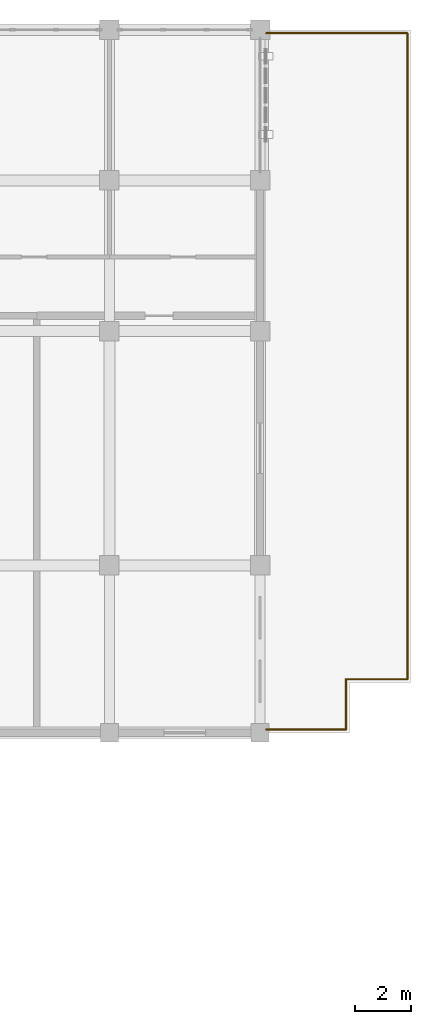
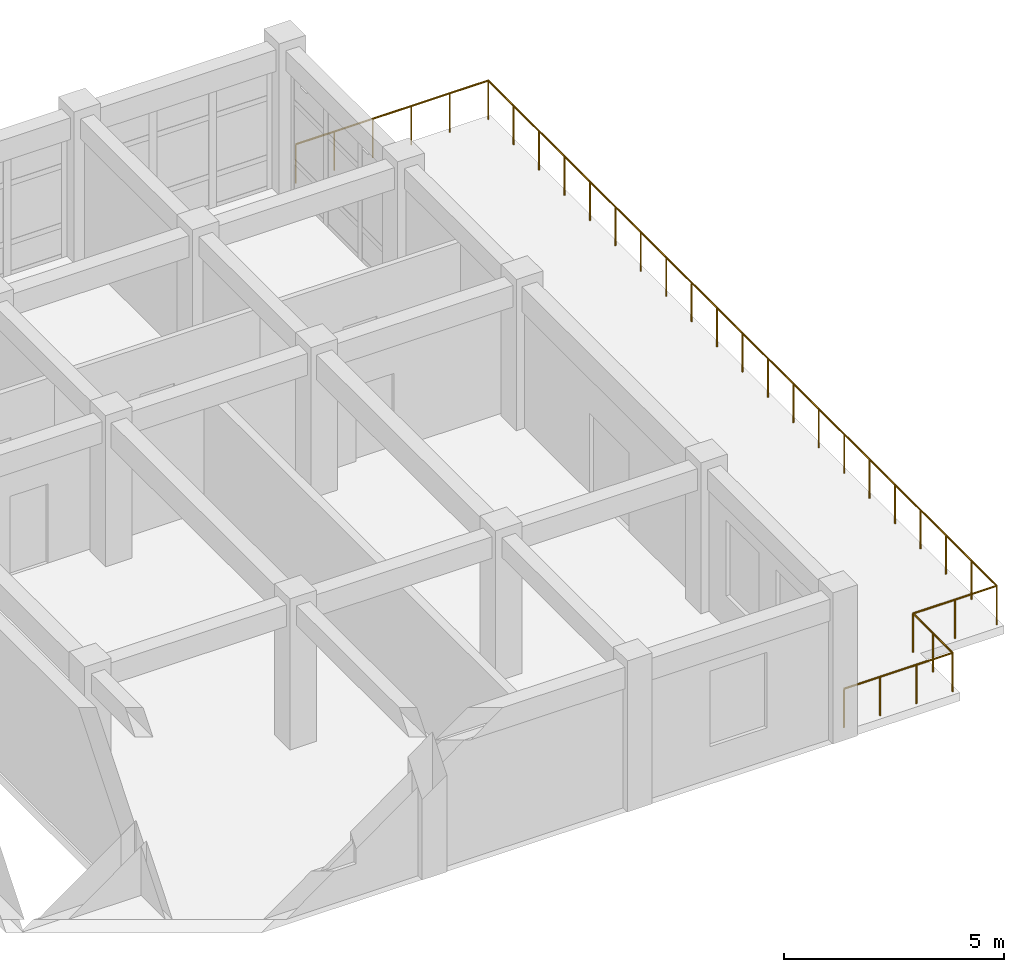
# One storey, part 22 of 22: 5 railings.
"""IFC4 building model written with IfcOpenShell, lengths in metres."""

from ifc_helpers import new_model, si_unit, direction, frame, origin, origin_2d, place, context, subcontext, project, spatial, circle, extrude, material, type_object, element, save


model = new_model("IFC4")

# Units and contexts
model_context = context("Model", 3, precision=1e-05, world=origin(), true_north=direction((0.0, 1.0)))
body_context = subcontext(model_context, "Body", "Model", "MODEL_VIEW")
ifc_project = project(units=[si_unit("LENGTHUNIT", "METRE"), si_unit("AREAUNIT", "SQUARE_METRE"), si_unit("VOLUMEUNIT", "CUBIC_METRE"), si_unit("PLANEANGLEUNIT", "RADIAN"), si_unit("MASSUNIT", "GRAM", prefix="KILO")], contexts=[model_context])

# Site, building, storey
site_placement = place(None, origin())
site = spatial("IfcSite", under=ifc_project, at=site_placement, CompositionType="ELEMENT")
building_placement = place(site_placement, origin())
building = spatial("IfcBuilding", under=site, at=building_placement, Name="Krzemoval Escarpment Law Courts", CompositionType="ELEMENT")
storey_placement = place(building_placement, frame((0.0, 0.0, 29.39990234375)))
storey = spatial("IfcBuildingStorey", under=building, at=storey_placement, Name="L06", CompositionType="ELEMENT", Elevation=29.39990234375)

# Railings
ifc_material = material(Name="Stainless Steel Grade 316L and Laminated Safety Glass Guard", Category="steel")
railing_type = type_object("IfcRailingType", Name="RL-BAL-1100", PredefinedType="BALUSTRADE", material=ifc_material)
railing_1_placement = place(storey_placement, frame((167.6201171875, 118.679931640625, 0.0)))
element("IfcRailing", 1, at=railing_1_placement, inside=storey, type_object=railing_type, Name="Terrace Guardrail BG-L06-032", PredefinedType="BALUSTRADE", context=body_context, shape_type="SweptSolid", body=[
    extrude(circle(Radius=0.02392578125, at=origin_2d()), frame((0.0, 0.0, 1.076171875), z_axis=(1.0, 0.0, 0.0), x_axis=(0.0, 1.0, 0.0)), (0.0, 0.0, 1.0), 5.059814453125),
    extrude(circle(Radius=0.02099609375, at=origin_2d()), origin(), (0.0, 0.0, 1.0), 1.052001953125),
    extrude(circle(Radius=0.02099609375, at=origin_2d()), frame((1.011962890625, 0.0, 0.0)), (0.0, 0.0, 1.0), 1.052001953125),
    extrude(circle(Radius=0.02099609375, at=origin_2d()), frame((2.02392578125, 0.0, 0.0)), (0.0, 0.0, 1.0), 1.052001953125),
    extrude(circle(Radius=0.02099609375, at=origin_2d()), frame((3.035888671875, 0.0, 0.0)), (0.0, 0.0, 1.0), 1.052001953125),
    extrude(circle(Radius=0.02099609375, at=origin_2d()), frame((4.0478515625, 0.0, 0.0)), (0.0, 0.0, 1.0), 1.052001953125),
    extrude(circle(Radius=0.02099609375, at=origin_2d()), frame((5.059814453125, 0.0, 0.0)), (0.0, 0.0, 1.0), 1.052001953125),
])
railing_2_placement = place(storey_placement, frame((172.679931640625, 118.679931640625, 0.0)))
element("IfcRailing", 2, at=railing_2_placement, inside=storey, type_object=railing_type, Name="Terrace Guardrail BG-L06-033", PredefinedType="BALUSTRADE", context=body_context, shape_type="SweptSolid", body=[
    extrude(circle(Radius=0.02392578125, at=origin_2d()), frame((0.0, 0.0, 1.076171875), z_axis=(0.0, -1.0, 0.0), x_axis=(1.0, 0.0, 0.0)), (0.0, 0.0, 1.0), 23.159912109375),
    extrude(circle(Radius=0.02099609375, at=origin_2d()), origin(), (0.0, 0.0, 1.0), 1.052001953125),
    extrude(circle(Radius=0.02099609375, at=origin_2d()), frame((0.0, -1.157958984375, 0.0)), (0.0, 0.0, 1.0), 1.052001953125),
    extrude(circle(Radius=0.02099609375, at=origin_2d()), frame((0.0, -2.31591796875, 0.0)), (0.0, 0.0, 1.0), 1.052001953125),
    extrude(circle(Radius=0.02099609375, at=origin_2d()), frame((0.0, -3.473876953125, 0.0)), (0.0, 0.0, 1.0), 1.052001953125),
    extrude(circle(Radius=0.02099609375, at=origin_2d()), frame((0.0, -4.632080078125, 0.0)), (0.0, 0.0, 1.0), 1.052001953125),
    extrude(circle(Radius=0.02099609375, at=origin_2d()), frame((0.0, -5.7900390625, 0.0)), (0.0, 0.0, 1.0), 1.052001953125),
    extrude(circle(Radius=0.02099609375, at=origin_2d()), frame((0.0, -6.947998046875, 0.0)), (0.0, 0.0, 1.0), 1.052001953125),
    extrude(circle(Radius=0.02099609375, at=origin_2d()), frame((0.0, -8.10595703125, 0.0)), (0.0, 0.0, 1.0), 1.052001953125),
    extrude(circle(Radius=0.02099609375, at=origin_2d()), frame((0.0, -9.263916015625, 0.0)), (0.0, 0.0, 1.0), 1.052001953125),
    extrude(circle(Radius=0.02099609375, at=origin_2d()), frame((0.0, -10.421875, 0.0)), (0.0, 0.0, 1.0), 1.052001953125),
    extrude(circle(Radius=0.02099609375, at=origin_2d()), frame((0.0, -11.580078125, 0.0)), (0.0, 0.0, 1.0), 1.052001953125),
    extrude(circle(Radius=0.02099609375, at=origin_2d()), frame((0.0, -12.738037109375, 0.0)), (0.0, 0.0, 1.0), 1.052001953125),
    extrude(circle(Radius=0.02099609375, at=origin_2d()), frame((0.0, -13.89599609375, 0.0)), (0.0, 0.0, 1.0), 1.052001953125),
    extrude(circle(Radius=0.02099609375, at=origin_2d()), frame((0.0, -15.053955078125, 0.0)), (0.0, 0.0, 1.0), 1.052001953125),
    extrude(circle(Radius=0.02099609375, at=origin_2d()), frame((0.0, -16.2119140625, 0.0)), (0.0, 0.0, 1.0), 1.052001953125),
    extrude(circle(Radius=0.02099609375, at=origin_2d()), frame((0.0, -17.369873046875, 0.0)), (0.0, 0.0, 1.0), 1.052001953125),
    extrude(circle(Radius=0.02099609375, at=origin_2d()), frame((0.0, -18.52783203125, 0.0)), (0.0, 0.0, 1.0), 1.052001953125),
    extrude(circle(Radius=0.02099609375, at=origin_2d()), frame((0.0, -19.68603515625, 0.0)), (0.0, 0.0, 1.0), 1.052001953125),
    extrude(circle(Radius=0.02099609375, at=origin_2d()), frame((0.0, -20.843994140625, 0.0)), (0.0, 0.0, 1.0), 1.052001953125),
    extrude(circle(Radius=0.02099609375, at=origin_2d()), frame((0.0, -22.001953125, 0.0)), (0.0, 0.0, 1.0), 1.052001953125),
    extrude(circle(Radius=0.02099609375, at=origin_2d()), frame((0.0, -23.159912109375, 0.0)), (0.0, 0.0, 1.0), 1.052001953125),
])
railing_3_placement = place(storey_placement, frame((172.679931640625, 95.52001953125, 0.0)))
element("IfcRailing", 3, at=railing_3_placement, inside=storey, type_object=railing_type, Name="Terrace Guardrail BG-L06-034", PredefinedType="BALUSTRADE", context=body_context, shape_type="SweptSolid", body=[
    extrude(circle(Radius=0.02392578125, at=origin_2d()), frame((0.0, 0.0, 1.076171875), z_axis=(-1.0, 0.0, 0.0), x_axis=(0.0, -1.0, 0.0)), (0.0, 0.0, 1.0), 2.199951171875),
    extrude(circle(Radius=0.02099609375, at=origin_2d()), origin(), (0.0, 0.0, 1.0), 1.052001953125),
    extrude(circle(Radius=0.02099609375, at=origin_2d()), frame((-1.10009765625, 0.0, 0.0)), (0.0, 0.0, 1.0), 1.052001953125),
    extrude(circle(Radius=0.02099609375, at=origin_2d()), frame((-2.199951171875, 0.0, 0.0)), (0.0, 0.0, 1.0), 1.052001953125),
])
railing_4_placement = place(storey_placement, frame((170.47998046875, 95.52001953125, 0.0)))
element("IfcRailing", 4, at=railing_4_placement, inside=storey, type_object=railing_type, Name="Terrace Guardrail BG-L06-035", PredefinedType="BALUSTRADE", context=body_context, shape_type="SweptSolid", body=[
    extrude(circle(Radius=0.02392578125, at=origin_2d()), frame((0.0, 0.0, 1.076171875), z_axis=(0.0, -1.0, 0.0), x_axis=(1.0, 0.0, 0.0)), (0.0, 0.0, 1.0), 1.800048828125),
    extrude(circle(Radius=0.02099609375, at=origin_2d()), origin(), (0.0, 0.0, 1.0), 1.052001953125),
    extrude(circle(Radius=0.02099609375, at=origin_2d()), frame((0.0, -0.89990234375, 0.0)), (0.0, 0.0, 1.0), 1.052001953125),
    extrude(circle(Radius=0.02099609375, at=origin_2d()), frame((0.0, -1.800048828125, 0.0)), (0.0, 0.0, 1.0), 1.052001953125),
])
railing_5_placement = place(storey_placement, frame((170.47998046875, 93.719970703125, 0.0)))
element("IfcRailing", 5, at=railing_5_placement, inside=storey, type_object=railing_type, Name="Terrace Guardrail BG-L06-036", PredefinedType="BALUSTRADE", context=body_context, shape_type="SweptSolid", body=[
    extrude(circle(Radius=0.02392578125, at=origin_2d()), frame((0.0, 0.0, 1.076171875), z_axis=(-1.0, 0.0, 0.0), x_axis=(0.0, -1.0, 0.0)), (0.0, 0.0, 1.0), 2.85986328125),
    extrude(circle(Radius=0.02099609375, at=origin_2d()), origin(), (0.0, 0.0, 1.0), 1.052001953125),
    extrude(circle(Radius=0.02099609375, at=origin_2d()), frame((-0.953369140625, 0.0, 0.0)), (0.0, 0.0, 1.0), 1.052001953125),
    extrude(circle(Radius=0.02099609375, at=origin_2d()), frame((-1.906494140625, 0.0, 0.0)), (0.0, 0.0, 1.0), 1.052001953125),
    extrude(circle(Radius=0.02099609375, at=origin_2d()), frame((-2.85986328125, 0.0, 0.0)), (0.0, 0.0, 1.0), 1.052001953125),
])

save(model, "model.ifc")
